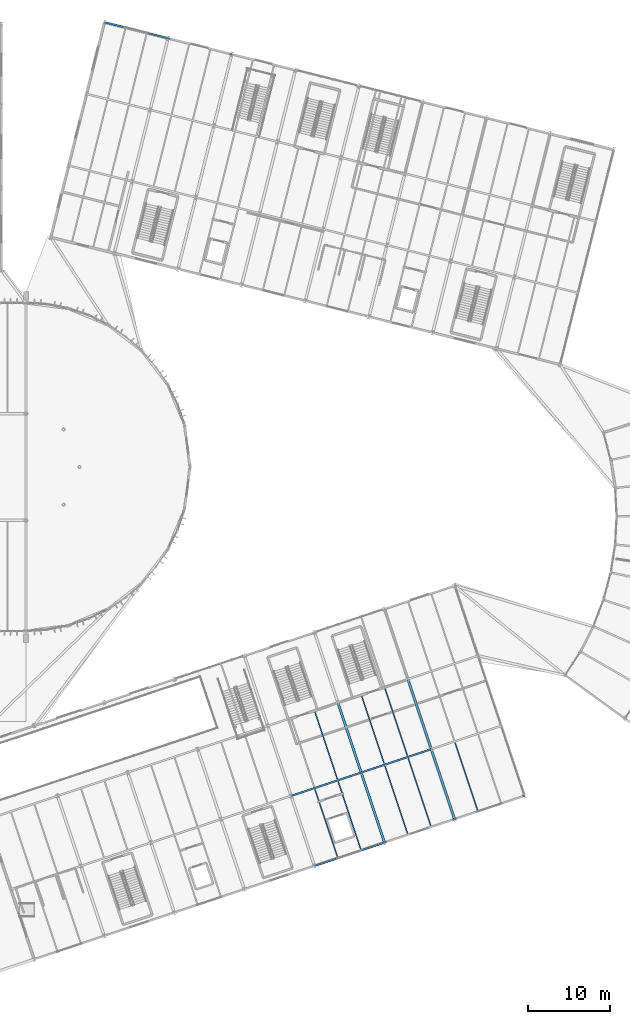
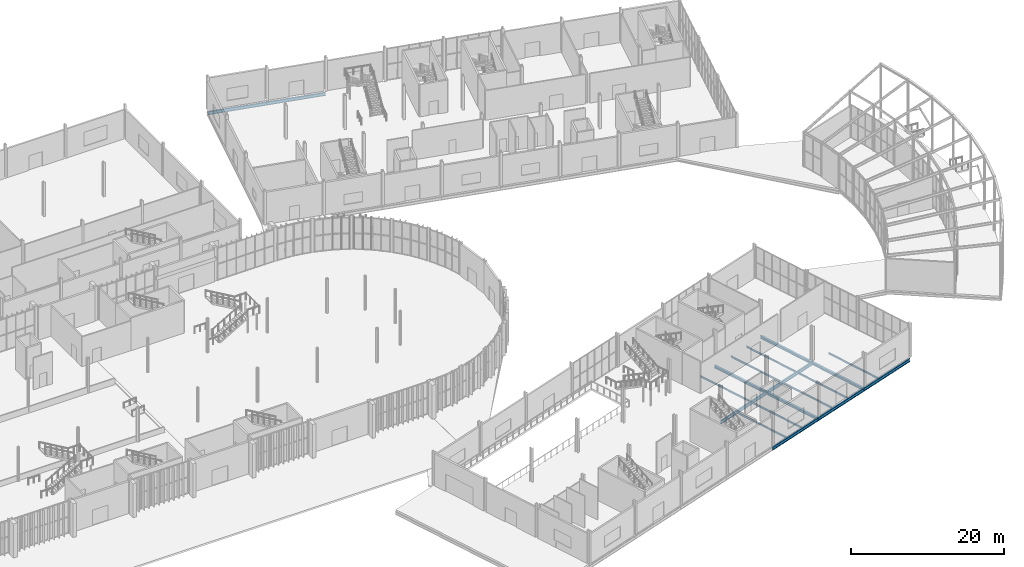
# One storey, part 78 of 158: 19 beams.
"""IFC4 building model written with IfcOpenShell, lengths in metres."""

from ifc_helpers import new_model, si_unit, derived_unit, direction, frame, origin, origin_2d, place, context, subcontext, project, spatial, i_section, extrude, material, material_profile, profile_set, type_object, element, save


model = new_model("IFC4")

# Units and contexts
model_context = context("Model", 3, precision=1e-05, world=origin(), true_north=direction((0.0, 1.0)))
body_context = subcontext(model_context, "Body", "Model", "MODEL_VIEW")
ifc_project = project(units=[si_unit("LENGTHUNIT", "METRE"), si_unit("AREAUNIT", "SQUARE_METRE"), si_unit("VOLUMEUNIT", "CUBIC_METRE"), si_unit("PLANEANGLEUNIT", "RADIAN"), si_unit("MASSUNIT", "GRAM", prefix="KILO"), si_unit("THERMODYNAMICTEMPERATUREUNIT", "KELVIN"), si_unit("TIMEUNIT", "SECOND"), derived_unit("THERMALTRANSMITTANCEUNIT", [(si_unit("MASSUNIT", "GRAM", prefix="KILO"), 1), (si_unit("THERMODYNAMICTEMPERATUREUNIT", "KELVIN"), -1), (si_unit("TIMEUNIT", "SECOND"), -3)])], contexts=[model_context])

# Site, building, storey
site_placement = place(None, origin())
site = spatial("IfcSite", under=ifc_project, at=site_placement, CompositionType="ELEMENT")
building_placement = place(site_placement, origin())
building = spatial("IfcBuilding", under=site, at=building_placement, Name="Cambertide Market Hall", CompositionType="ELEMENT")
storey_placement = place(building_placement, origin())
storey = spatial("IfcBuildingStorey", under=building, at=storey_placement, Name="L01", CompositionType="ELEMENT", Elevation=0.0)

# Beams
ifc_material_1 = material(Name="Steel S355", Category="steel")
ifc_material_profile_1 = material_profile(ifc_material_1, i_section(OverallWidth=0.300048828125, OverallDepth=0.39990234375, WebThickness=0.013427734375, FlangeThickness=0.02392578125, FilletRadius=0.027099609375, at=origin_2d()), Name="HEB 400")
ifc_profile_set_1 = profile_set([ifc_material_profile_1], Name="Steel S355")
beam_type_1 = type_object("IfcBeamType", Name="Steel Girder HEB 400", PredefinedType="BEAM", material=ifc_profile_set_1)
beam_1_placement = place(storey_placement, frame((148.690673828125, 26.230224609375, -0.5), z_axis=(-0.3162196279, 0.948686010717, 0.0), x_axis=(-0.948686010717, -0.3162196279, 0.0)))
element("IfcBeam", 1, at=beam_1_placement, inside=storey, type_object=beam_type_1, Name="Level 1 Beam BM-V3V-L01-6-1", PredefinedType="BEAM", context=body_context, shape_type="SweptSolid", body=[
    extrude(i_section(OverallWidth=0.300048828125, OverallDepth=0.39990234375, WebThickness=0.013427734375, FlangeThickness=0.02392578125, FilletRadius=0.027099609375, at=origin_2d()), origin(), (0.0, 0.0, 1.0), 9.0),
])
beam_2_placement = place(storey_placement, frame((145.8447265625, 34.768310546875, -0.5), z_axis=(-0.316235903831, 0.948680585407, 0.0), x_axis=(-0.948680585407, -0.316235903831, 0.0)))
element("IfcBeam", 2, at=beam_2_placement, inside=storey, type_object=beam_type_1, Name="Level 1 Beam BM-V3V-L01-6-2", PredefinedType="BEAM", context=body_context, shape_type="SweptSolid", body=[
    extrude(i_section(OverallWidth=0.300048828125, OverallDepth=0.39990234375, WebThickness=0.013427734375, FlangeThickness=0.02392578125, FilletRadius=0.027099609375, at=origin_2d()), origin(), (0.0, 0.0, 1.0), 9.000244140625),
])
for number, where, z_axis, x_axis, name in (
    (3, (157.22900390625, 29.076416015625, -0.5), (-0.31624404204, 0.948677872554, 0.0), (-0.948677872554, -0.31624404204, 0.0), "Level 1 Beam BM-V3V-L01-7-1"),
    (4, (154.3828125, 37.614501953125, -0.5), (-0.3162196279, 0.948686010717, 0.0), (-0.948686010717, -0.3162196279, 0.0), "Level 1 Beam BM-V3V-L01-7-2"),
):
    element("IfcBeam", number, at=place(storey_placement, frame(where, z_axis=z_axis, x_axis=x_axis)), inside=storey, type_object=beam_type_1, Name=name, PredefinedType="BEAM", context=body_context, shape_type="SweptSolid", body=[
        extrude(i_section(OverallWidth=0.300048828125, OverallDepth=0.39990234375, WebThickness=0.013427734375, FlangeThickness=0.02392578125, FilletRadius=0.027099609375, at=origin_2d()), origin(), (0.0, 0.0, 1.0), 9.0),
    ])
ifc_material_2 = material(Name="Steel S355", Category="steel")
ifc_material_profile_2 = material_profile(ifc_material_2, i_section(OverallWidth=0.199951171875, OverallDepth=0.5, WebThickness=0.01025390625, FlangeThickness=0.01611328125, FilletRadius=0.02099609375, at=origin_2d()), Name="IPE 500")
ifc_profile_set_2 = profile_set([ifc_material_profile_2], Name="Steel S355")
beam_type_2 = type_object("IfcBeamType", Name="Steel Girder IPE 500", PredefinedType="BEAM", material=ifc_profile_set_2)
for number, where, z_axis, x_axis, name in (
    (5, (140.152587890625, 23.38427734375, -0.550048828125), (0.948686010717, 0.3162196279, 0.0), (-0.3162196279, 0.948686010717, 0.0), "Level 1 Beam BM-V3U-L01-5-1"),
    (6, (137.306640625, 31.92236328125, -0.550048828125), (0.948686010717, 0.3162196279, 0.0), (-0.3162196279, 0.948686010717, 0.0), "Level 1 Beam BM-V3U-L01-5-2"),
):
    element("IfcBeam", number, at=place(storey_placement, frame(where, z_axis=z_axis, x_axis=x_axis)), inside=storey, type_object=beam_type_2, Name=name, PredefinedType="BEAM", context=body_context, shape_type="SweptSolid", body=[
        extrude(i_section(OverallWidth=0.199951171875, OverallDepth=0.5, WebThickness=0.01025390625, FlangeThickness=0.01611328125, FilletRadius=0.02099609375, at=origin_2d()), origin(), (0.0, 0.0, 1.0), 9.0),
    ])
beam_3_placement = place(storey_placement, frame((148.690673828125, 26.230224609375, -0.550048828125), z_axis=(0.948680585407, 0.316235903831, 0.0), x_axis=(-0.316235903831, 0.948680585407, 0.0)))
element("IfcBeam", 7, at=beam_3_placement, inside=storey, type_object=beam_type_2, Name="Level 1 Beam BM-V3U-L01-6-1", PredefinedType="BEAM", context=body_context, shape_type="SweptSolid", body=[
    extrude(i_section(OverallWidth=0.199951171875, OverallDepth=0.5, WebThickness=0.01025390625, FlangeThickness=0.01611328125, FilletRadius=0.02099609375, at=origin_2d()), origin(), (0.0, 0.0, 1.0), 9.000244140625),
])
for number, where, z_axis, x_axis, name in (
    (8, (145.8447265625, 34.768310546875, -0.550048828125), (0.948677872554, 0.31624404204, 0.0), (-0.31624404204, 0.948677872554, 0.0), "Level 1 Beam BM-V3U-L01-6-2"),
    (9, (157.22900390625, 29.076416015625, -0.550048828125), (0.948686010717, 0.3162196279, 0.0), (-0.3162196279, 0.948686010717, 0.0), "Level 1 Beam BM-V3U-L01-7-1"),
):
    element("IfcBeam", number, at=place(storey_placement, frame(where, z_axis=z_axis, x_axis=x_axis)), inside=storey, type_object=beam_type_2, Name=name, PredefinedType="BEAM", context=body_context, shape_type="SweptSolid", body=[
        extrude(i_section(OverallWidth=0.199951171875, OverallDepth=0.5, WebThickness=0.01025390625, FlangeThickness=0.01611328125, FilletRadius=0.02099609375, at=origin_2d()), origin(), (0.0, 0.0, 1.0), 9.0),
    ])
beam_4_placement = place(storey_placement, frame((114.548583984375, 126.19384765625, -0.550048828125), z_axis=(0.970144295309, -0.242528444268, 0.0), x_axis=(0.242528444268, 0.970144295309, 0.0)))
element("IfcBeam", 10, at=beam_4_placement, inside=storey, type_object=beam_type_2, Name="Level 1 Beam BM-V4U-L01-1-4", PredefinedType="BEAM", context=body_context, shape_type="SweptSolid", body=[
    extrude(i_section(OverallWidth=0.199951171875, OverallDepth=0.5, WebThickness=0.01025390625, FlangeThickness=0.01611328125, FilletRadius=0.02099609375, at=origin_2d()), origin(), (0.0, 0.0, 1.0), 7.999755859375),
])
beam_5_placement = place(storey_placement, frame((122.3095703125, 124.253662109375, -0.550048828125), z_axis=(0.970138909791, -0.242549986002, 0.0), x_axis=(0.242549986002, 0.970138909791, 0.0)))
element("IfcBeam", 11, at=beam_5_placement, inside=storey, type_object=beam_type_2, Name="Level 1 Beam BM-V4U-L01-2-4", PredefinedType="BEAM", context=body_context, shape_type="SweptSolid", body=[
    extrude(i_section(OverallWidth=0.199951171875, OverallDepth=0.5, WebThickness=0.01025390625, FlangeThickness=0.01611328125, FilletRadius=0.02099609375, at=origin_2d()), origin(), (0.0, 0.0, 1.0), 8.000244140625),
])
ifc_material_3 = material(Name="Steel S275", Category="steel")
ifc_material_profile_3 = material_profile(ifc_material_3, i_section(OverallWidth=0.135009765625, OverallDepth=0.27001953125, WebThickness=0.006591796875, FlangeThickness=0.01025390625, FilletRadius=0.014892578125, at=origin_2d()), Name="IPE 270")
ifc_profile_set_3 = profile_set([ifc_material_profile_3], Name="Steel S275")
beam_type_3 = type_object("IfcBeamType", Name="Steel Secondary Joist IPE 270", PredefinedType="JOIST", material=ifc_profile_set_3)
for number, where, z_axis, x_axis, name in (
    (12, (142.941650390625, 24.503662109375, -0.43505859375), (-0.316227766017, 0.948683298051, 0.0), (-0.948683298051, -0.316227766017, 0.0), "Level 1 Joist JS-V3-L01-5-1-1"),
    (13, (145.787841796875, 25.452392578125, -0.43505859375), (-0.316227766017, 0.948683298051, 0.0), (-0.948683298051, -0.316227766017, 0.0), "Level 1 Joist JS-V3-L01-5-1-2"),
    (14, (142.941650390625, 33.990478515625, -0.43505859375), (-0.316227766017, 0.948683298051, 0.0), (-0.948683298051, -0.316227766017, 0.0), "Level 1 Joist JS-V3-L01-5-2-2"),
):
    element("IfcBeam", number, at=place(storey_placement, frame(where, z_axis=z_axis, x_axis=x_axis)), inside=storey, type_object=beam_type_3, Name=name, PredefinedType="JOIST", context=body_context, shape_type="SweptSolid", body=[
        extrude(i_section(OverallWidth=0.135009765625, OverallDepth=0.27001953125, WebThickness=0.006591796875, FlangeThickness=0.01025390625, FilletRadius=0.014892578125, at=origin_2d()), origin(), (0.0, 0.0, 1.0), 8.639892578125),
    ])
for number, where, z_axis, x_axis, name in (
    (15, (151.47998046875, 27.349609375, -0.43505859375), (-0.316244719758, 0.948677646635, 0.0), (-0.948677646635, -0.316244719758, 0.0), "Level 1 Joist JS-V3-L01-6-1-1"),
    (16, (154.325927734375, 28.29833984375, -0.43505859375), (-0.316219289033, 0.94868612367, 0.0), (-0.94868612367, -0.316219289033, 0.0), "Level 1 Joist JS-V3-L01-6-1-2"),
):
    element("IfcBeam", number, at=place(storey_placement, frame(where, z_axis=z_axis, x_axis=x_axis)), inside=storey, type_object=beam_type_3, Name=name, PredefinedType="JOIST", context=body_context, shape_type="SweptSolid", body=[
        extrude(i_section(OverallWidth=0.135009765625, OverallDepth=0.27001953125, WebThickness=0.006591796875, FlangeThickness=0.01025390625, FilletRadius=0.014892578125, at=origin_2d()), origin(), (0.0, 0.0, 1.0), 8.64013671875),
    ])
beam_6_placement = place(storey_placement, frame((148.6337890625, 35.887939453125, -0.43505859375), z_axis=(-0.316227766017, 0.948683298051, 0.0), x_axis=(-0.948683298051, -0.316227766017, 0.0)))
element("IfcBeam", 17, at=beam_6_placement, inside=storey, type_object=beam_type_3, Name="Level 1 Joist JS-V3-L01-6-2-1", PredefinedType="JOIST", context=body_context, shape_type="SweptSolid", body=[
    extrude(i_section(OverallWidth=0.135009765625, OverallDepth=0.27001953125, WebThickness=0.006591796875, FlangeThickness=0.01025390625, FilletRadius=0.014892578125, at=origin_2d()), origin(), (0.0, 0.0, 1.0), 8.639892578125),
])
beam_7_placement = place(storey_placement, frame((151.47998046875, 36.83642578125, -0.43505859375), z_axis=(-0.316244719758, 0.948677646635, 0.0), x_axis=(-0.948677646635, -0.316244719758, 0.0)))
element("IfcBeam", 18, at=beam_7_placement, inside=storey, type_object=beam_type_3, Name="Level 1 Joist JS-V3-L01-6-2-2", PredefinedType="JOIST", context=body_context, shape_type="SweptSolid", body=[
    extrude(i_section(OverallWidth=0.135009765625, OverallDepth=0.27001953125, WebThickness=0.006591796875, FlangeThickness=0.01025390625, FilletRadius=0.014892578125, at=origin_2d()), origin(), (0.0, 0.0, 1.0), 8.64013671875),
])
beam_8_placement = place(storey_placement, frame((160.01806640625, 30.19580078125, -0.43505859375), z_axis=(-0.316227766017, 0.948683298051, 0.0), x_axis=(-0.948683298051, -0.316227766017, 0.0)))
element("IfcBeam", 19, at=beam_8_placement, inside=storey, type_object=beam_type_3, Name="Level 1 Joist JS-V3-L01-7-1-1", PredefinedType="JOIST", context=body_context, shape_type="SweptSolid", body=[
    extrude(i_section(OverallWidth=0.135009765625, OverallDepth=0.27001953125, WebThickness=0.006591796875, FlangeThickness=0.01025390625, FilletRadius=0.014892578125, at=origin_2d()), origin(), (0.0, 0.0, 1.0), 8.639892578125),
])

save(model, "model.ifc")
